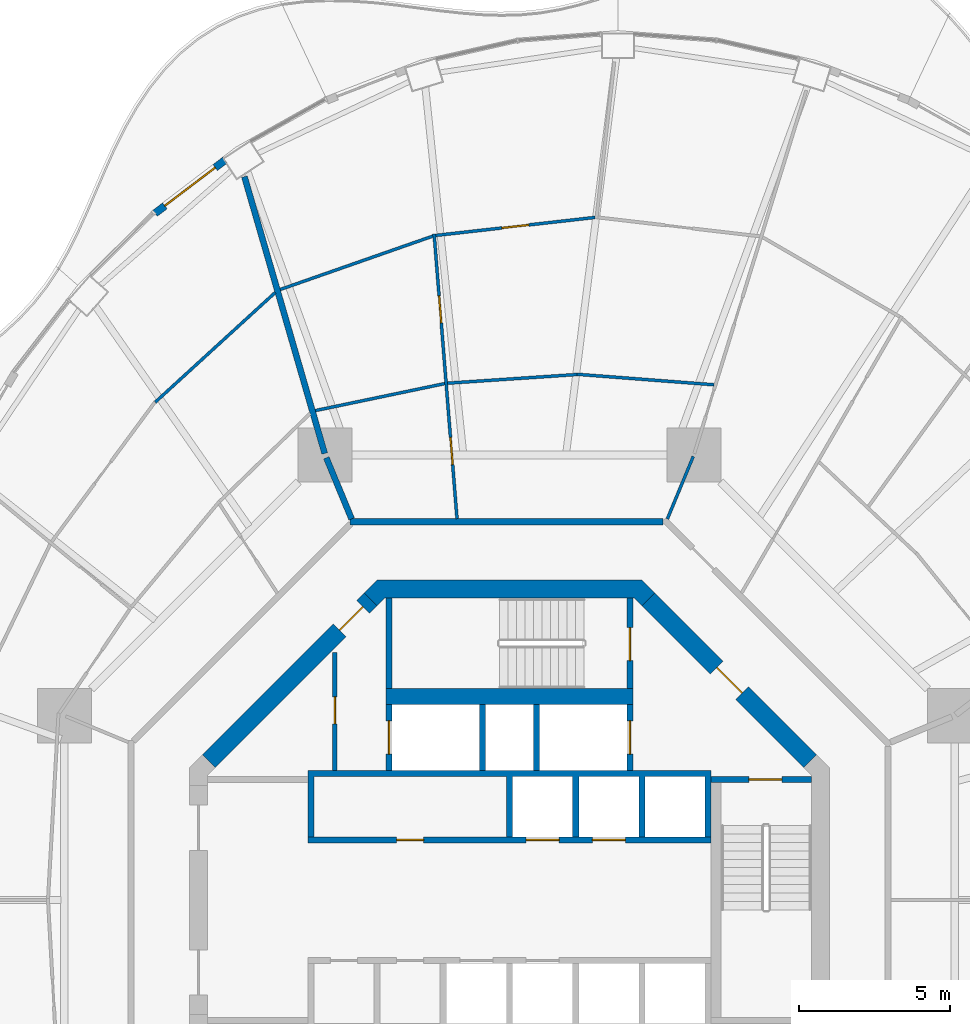
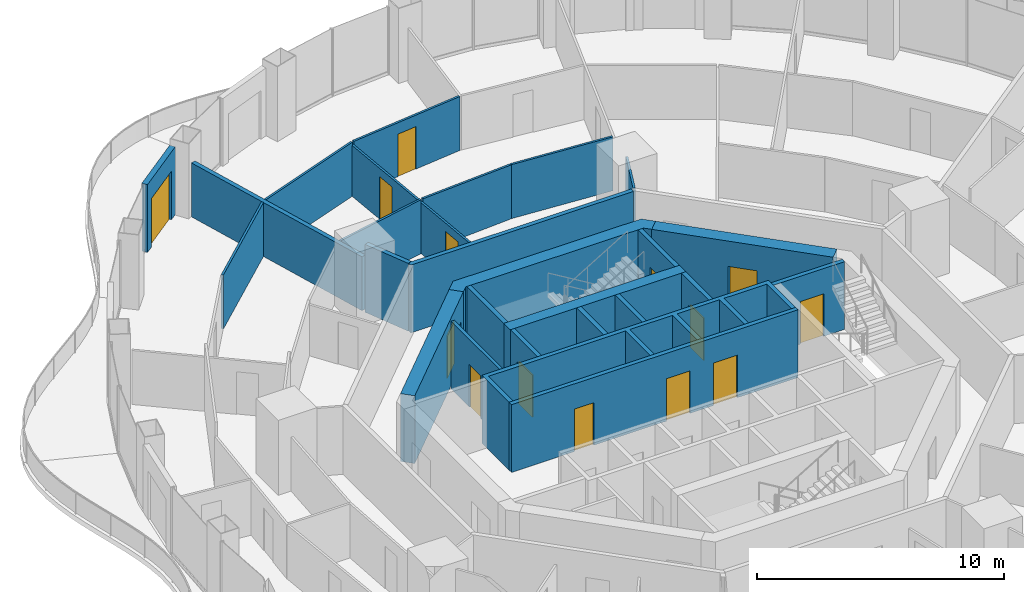
# One storey, part 14 of 19: 26 walls, 14 doors, 14 openings.
"""IFC4 building model written with IfcOpenShell, lengths in metres."""

import ifcopenshell
import ifcopenshell.guid

model = None  # the IFC model being written
_history = None  # IfcOwnerHistory: only IFC2X3 demands one
_inside = {}  # id of a spatial element -> (the spatial element, [elements in it])
_under = {}  # id of a project, library or spatial element -> (it, [spatial elements below it])
_declared = {}  # id of a project -> (the project, [libraries it declares])
_typed = {}  # id of a type object -> (the type object, [elements of that type])
_made_of = {}  # id of a material, layer set ... -> (it, [elements and type objects made of it])


def new_model(schema):
    """Start an empty IFC model of exactly this schema.

    Asked for "IFC4X3", IfcOpenShell would pick the latest addendum, in which some entities
    have other attributes; the version numbers below select the first issue.
    IFC2X3 requires an IfcOwnerHistory on every rooted entity: one is made here for all.
    """
    global model, _history
    if schema == "IFC4X3":
        model = ifcopenshell.file(schema_version=(4, 3, 0, 0))
    else:
        model = ifcopenshell.file(schema=schema)
    _inside.clear()
    _under.clear()
    _declared.clear()
    _typed.clear()
    _made_of.clear()
    _history = None
    if model.schema == "IFC2X3":
        org = make("IfcOrganization", Name="unknown")
        user = make(
            "IfcPersonAndOrganization",
            ThePerson=make("IfcPerson", FamilyName="unknown"),
            TheOrganization=org,
        )
        app = make(
            "IfcApplication",
            ApplicationDeveloper=org,
            Version="unknown",
            ApplicationFullName="unknown",
            ApplicationIdentifier="unknown",
        )
        _history = make(
            "IfcOwnerHistory",
            OwningUser=user,
            OwningApplication=app,
            ChangeAction="ADDED",
            CreationDate=0,
        )
    return model


def make(cls, **values):
    """One entity of the class cls with the attributes given. An attribute that is None is left unset."""
    return model.create_entity(
        cls, **{name: value for name, value in values.items() if value is not None}
    )


def rooted(cls, **values):
    """An entity with a GlobalId (a new one), such as an element, a storey or a relation."""
    return make(cls, GlobalId=ifcopenshell.guid.new(), OwnerHistory=_history, **values)


def si_unit(unit_type, name, prefix=None):
    """IfcSIUnit, for example si_unit("LENGTHUNIT", "METRE", prefix="MILLI")."""
    return make("IfcSIUnit", UnitType=unit_type, Prefix=prefix, Name=name)


def assignment(units):
    """IfcUnitAssignment: the units of a project."""
    return None if units is None else make("IfcUnitAssignment", Units=units)


def point(xyz):
    """IfcCartesianPoint."""
    return None if xyz is None else make("IfcCartesianPoint", Coordinates=xyz)


def direction(xyz):
    """IfcDirection."""
    return None if xyz is None else make("IfcDirection", DirectionRatios=xyz)


def frame(location, z_axis=None, x_axis=None):
    """IfcAxis2Placement3D, a coordinate frame: its origin and axes. An axis left out is left unset."""
    return make(
        "IfcAxis2Placement3D",
        Location=point(location),
        Axis=direction(z_axis),
        RefDirection=direction(x_axis),
    )


def frame_2d(location, x_axis=None):
    """IfcAxis2Placement2D, a coordinate frame in the plane: its origin and x axis."""
    return make(
        "IfcAxis2Placement2D", Location=point(location), RefDirection=direction(x_axis)
    )


def origin():
    """The frame at (0, 0, 0) with its axes left unset."""
    return frame((0.0, 0.0, 0.0))


def place(relative_to, where):
    """IfcLocalPlacement: puts the frame where relative to a parent placement (None: the world)."""
    return make(
        "IfcLocalPlacement", PlacementRelTo=relative_to, RelativePlacement=where
    )


def context(
    kind, dimensions, precision=None, world=None, true_north=None, identifier=None
):
    """IfcGeometricRepresentationContext, for example the 3D "Model" context."""
    return make(
        "IfcGeometricRepresentationContext",
        ContextIdentifier=identifier,
        ContextType=kind,
        CoordinateSpaceDimension=dimensions,
        Precision=precision,
        WorldCoordinateSystem=world,
        TrueNorth=true_north,
    )


def subcontext(parent, identifier, kind, view, scale=None):
    """IfcGeometricRepresentationSubContext, for example "Body" below "Model"."""
    return make(
        "IfcGeometricRepresentationSubContext",
        ContextIdentifier=identifier,
        ContextType=kind,
        ParentContext=parent,
        TargetScale=scale,
        TargetView=view,
    )


def project(units=None, contexts=None):
    """IfcProject with its units and contexts."""
    return rooted(
        "IfcProject",
        Name="project",
        RepresentationContexts=contexts,
        UnitsInContext=assignment(units),
    )


def spatial(cls, under=None, at=None, **own):
    """A site, building, storey or space (cls), placed at a placement, below another one or the project."""
    s = rooted(cls, ObjectPlacement=at, **own)
    if under is not None:
        _under.setdefault(under.id(), (under, []))[1].append(s)
    return s


def polyline(points):
    """IfcPolyline through the points."""
    return make("IfcPolyline", Points=[point(p) for p in points])


def profile(cls, at=None, kind="AREA", **sizes):
    """A parametric profile (cls). Its sizes go by their IFC names, for example OverallWidth=200.0."""
    return make(cls, ProfileType=kind, Position=at, **sizes)


def rectangle(**sizes):
    """IfcRectangleProfileDef."""
    return profile("IfcRectangleProfileDef", **sizes)


def outline(outer, holes=None, kind="AREA"):
    """IfcArbitraryClosedProfileDef: a profile drawn as a closed curve; with holes, ...WithVoids."""
    if holes is None:
        return make("IfcArbitraryClosedProfileDef", ProfileType=kind, OuterCurve=outer)
    return make(
        "IfcArbitraryProfileDefWithVoids",
        ProfileType=kind,
        OuterCurve=outer,
        InnerCurves=holes,
    )


def extrude(swept, where, along, depth):
    """IfcExtrudedAreaSolid: the profile swept, set in the frame where, extruded along a direction by depth."""
    return make(
        "IfcExtrudedAreaSolid",
        SweptArea=swept,
        Position=where,
        ExtrudedDirection=direction(along),
        Depth=depth,
    )


def shape(context_of_items, identifier, shape_type, items):
    """IfcShapeRepresentation: the items that make up one representation, for example the "Body"."""
    return make(
        "IfcShapeRepresentation",
        ContextOfItems=context_of_items,
        RepresentationIdentifier=identifier,
        RepresentationType=shape_type,
        Items=items,
    )


def material(Name=None, Category=None):
    """IfcMaterial."""
    return make("IfcMaterial", Name=Name, Category=Category)


def layer(
    of_material, thickness, ventilated=None, Name=None, Category=None, Priority=None
):
    """IfcMaterialLayer: one layer of a wall or slab, of a material (None: an air gap)."""
    return make(
        "IfcMaterialLayer",
        Material=of_material,
        LayerThickness=thickness,
        IsVentilated=ventilated,
        Name=Name,
        Category=Category,
        Priority=Priority,
    )


def layer_set(layers, Name=None):
    """IfcMaterialLayerSet."""
    return make("IfcMaterialLayerSet", MaterialLayers=layers, LayerSetName=Name)


def made_of(thing, what):
    """Note that an element or type object is made of a material, layer set ...; save() writes the relation."""
    if what is not None:
        _made_of.setdefault(what.id(), (what, []))[1].append(thing)
    return thing


def type_object(cls, material=None, **own):
    """A type object (cls), such as IfcWallType, which elements share."""
    return made_of(rooted(cls, **own), material)


def element(
    cls,
    number,
    at=None,
    inside=None,
    cuts=None,
    type_object=None,
    material=None,
    context=None,
    identifier="Body",
    shape_type=None,
    held_by="IfcProductDefinitionShape",
    body=None,
    shapes=None,
    **own,
):
    """One element of the class cls, such as IfcWall. Its Tag is "e" and its number.

    at: its placement. inside: the storey or other place that contains it. cuts: it is an
    opening in that element (IfcRelVoidsElement). A single representation is given by context,
    identifier, shape_type and body (its items); several are given by shapes. held_by: the class
    of the entity that holds the representations. save() writes the other relations.
    """
    e = rooted(cls, Tag="e%d" % number, ObjectPlacement=at, **own)
    if body is not None:
        shapes = [shape(context, identifier, shape_type, body)]
    if shapes is not None:
        e.Representation = make(held_by, Representations=shapes)
    if inside is not None:
        _inside.setdefault(inside.id(), (inside, []))[1].append(e)
    if cuts is not None:
        rooted(
            "IfcRelVoidsElement", RelatingBuildingElement=cuts, RelatedOpeningElement=e
        )
    if type_object is not None:
        _typed.setdefault(type_object.id(), (type_object, []))[1].append(e)
    return made_of(e, material)


def fill(opening, filler):
    """IfcRelFillsElement: the door or window that sits in an opening."""
    return rooted(
        "IfcRelFillsElement",
        RelatingOpeningElement=opening,
        RelatedBuildingElement=filler,
    )


def aggregate(whole, parts):
    """IfcRelAggregates: a whole, such as a stair, and the parts it consists of."""
    return rooted("IfcRelAggregates", RelatingObject=whole, RelatedObjects=parts)


def save(model, path):
    """Write the relations noted so far, then the file.

    IfcRelAggregates (storeys below a building ...), IfcRelContainedInSpatialStructure (elements
    in a storey), IfcRelDefinesByType, IfcRelAssociatesMaterial and IfcRelDeclares: one each for
    every whole, place, type object, material and project.
    """
    for whole, parts in _under.values():
        aggregate(whole, parts)
    for where, things in _inside.values():
        rooted(
            "IfcRelContainedInSpatialStructure",
            RelatedElements=things,
            RelatingStructure=where,
        )
    for kind, things in _typed.values():
        rooted("IfcRelDefinesByType", RelatedObjects=things, RelatingType=kind)
    for what, things in _made_of.values():
        rooted("IfcRelAssociatesMaterial", RelatedObjects=things, RelatingMaterial=what)
    for by, libraries in _declared.values():
        rooted("IfcRelDeclares", RelatingContext=by, RelatedDefinitions=libraries)
    model.write(path)


model = new_model("IFC4")

# Units and contexts
model_context = context("Model", 3, precision=1e-05, world=origin(), true_north=direction((0.0, 1.0)))
body_context = subcontext(model_context, "Body", "Model", "MODEL_VIEW")
ifc_project = project(units=[si_unit("LENGTHUNIT", "METRE"), si_unit("AREAUNIT", "SQUARE_METRE"), si_unit("VOLUMEUNIT", "CUBIC_METRE"), si_unit("PLANEANGLEUNIT", "RADIAN"), si_unit("MASSUNIT", "GRAM", prefix="KILO")], contexts=[model_context])

# Site, building, storey
site_placement = place(None, origin())
site = spatial("IfcSite", under=ifc_project, at=site_placement, CompositionType="ELEMENT")
building_placement = place(site_placement, origin())
building = spatial("IfcBuilding", under=site, at=building_placement, Name="Nagisa Residences", CompositionType="ELEMENT")
storey_placement = place(building_placement, frame((0.0, 0.0, 202.89990234375)))
storey = spatial("IfcBuildingStorey", under=building, at=storey_placement, Name="L51", CompositionType="ELEMENT", Elevation=202.89990234375)

# Walls
ifc_material_1 = material(Name="Gypsum board on steel studs", Category="steel")
ifc_layer_1 = layer(ifc_material_1, 0.199951171875)
ifc_layer_set_1 = layer_set([ifc_layer_1], Name="Apartment compartment wall EI60 200")
wall_type_1 = type_object("IfcWallType", Name="Apartment compartment wall EI60 200", PredefinedType="PARTITIONING", material=ifc_layer_set_1)
wall_1_placement = place(storey_placement, frame((-5.24267578125, 12.6572265625, 0.0), z_axis=(0.0, 0.0, 1.0), x_axis=(-0.382707856524, 0.923869415315, 0.0)))
element("IfcWall", 1, at=wall_1_placement, inside=storey, type_object=wall_type_1, Name="wall:L51:u02", PredefinedType="PARTITIONING", context=body_context, shape_type="SweptSolid", body=[
    extrude(rectangle(XDim=2.2001953125, YDim=0.199951171875, at=frame_2d((1.10009765625, 0.0))), origin(), (0.0, 0.0, 1.0), 3.35009765625),
])
wall_2_placement = place(storey_placement, frame((-6.136962890625, 14.830078125, 0.0), z_axis=(0.0, 0.0, 1.0), x_axis=(-0.278461169897, 0.96044748782, 0.0)))
element("IfcWall", 2, at=wall_2_placement, inside=storey, type_object=wall_type_1, Name="wall:L51:u03", PredefinedType="PARTITIONING", context=body_context, shape_type="SweptSolid", body=[
    extrude(rectangle(XDim=9.5732421875, YDim=0.199951171875, at=frame_2d((4.78662109375, 0.0))), origin(), (0.0, 0.0, 1.0), 2.666015625),
])
ifc_material_2 = material(Name="Gypsum board on steel studs", Category="steel")
ifc_layer_2 = layer(ifc_material_2, 0.199951171875)
ifc_layer_set_2 = layer_set([ifc_layer_2], Name="Apartment entry wall EI60 200")
wall_type_2 = type_object("IfcWallType", Name="Apartment entry wall EI60 200", PredefinedType="PARTITIONING", material=ifc_layer_set_2)
wall_3_placement = place(storey_placement, frame((5.1044921875, 12.564697265625, 0.0), z_axis=(0.0, 0.0, 1.0), x_axis=(-1.0, 0.0, 0.0)))
element("IfcWall", 3, at=wall_3_placement, inside=storey, type_object=wall_type_2, Name="wall:L51:u08", PredefinedType="PARTITIONING", context=body_context, shape_type="SweptSolid", body=[
    extrude(rectangle(XDim=10.408935546875, YDim=0.199951171875, at=frame_2d((5.20458984375, 0.0))), origin(), (0.0, 0.0, 1.0), 3.35009765625),
])
ifc_material_3 = material(Name="Gypsum board on steel studs", Category="steel")
ifc_layer_3 = layer(ifc_material_3, 0.10009765625)
ifc_layer_set_3 = layer_set([ifc_layer_3], Name="Apartment partition 100")
wall_type_3 = type_object("IfcWallType", Name="Apartment partition 100", PredefinedType="PARTITIONING", material=ifc_layer_set_3)
wall_4_placement = place(storey_placement, frame((5.24267578125, 12.6572265625, 0.0), z_axis=(0.0, 0.0, 1.0), x_axis=(0.382719158442, 0.923864733477, 0.0)))
element("IfcWall", 4, at=wall_4_placement, inside=storey, type_object=wall_type_3, Name="wall:L51:u30", PredefinedType="PARTITIONING", context=body_context, shape_type="SweptSolid", body=[
    extrude(rectangle(XDim=2.25, YDim=0.10009765625, at=frame_2d((1.125, 0.0))), origin(), (0.0, 0.0, 1.0), 3.35009765625),
])
wall_5_placement = place(storey_placement, frame((6.791259765625, 17.11328125, 0.0), z_axis=(0.0, 0.0, 1.0), x_axis=(-0.997077117727, 0.07640171009, 0.0)))
element("IfcWall", 5, at=wall_5_placement, inside=storey, type_object=wall_type_3, Name="wall:L51:u32", PredefinedType="PARTITIONING", context=body_context, shape_type="SweptSolid", body=[
    extrude(rectangle(XDim=4.56005859375, YDim=0.10009765625, at=frame_2d((2.280029296875, 0.0))), origin(), (0.0, 0.0, 1.0), 2.666015625),
])
wall_6_placement = place(storey_placement, frame((2.244384765625, 17.45458984375, 0.0), z_axis=(0.0, 0.0, 1.0), x_axis=(-0.997754717554, -0.066974051687, 0.0)))
element("IfcWall", 6, at=wall_6_placement, inside=storey, type_object=wall_type_3, Name="wall:L51:u34", PredefinedType="PARTITIONING", context=body_context, shape_type="SweptSolid", body=[
    extrude(rectangle(XDim=4.308837890625, YDim=0.10009765625, at=frame_2d((2.154296875, 0.0))), origin(), (0.0, 0.0, 1.0), 2.666015625),
])

# Wall, opening, door
wall_7_placement = place(storey_placement, frame((2.841552734375, 22.67138671875, 0.0), z_axis=(0.0, 0.0, 1.0), x_axis=(-0.993660315081, -0.112424099879, 0.0)))
wall_7 = element("IfcWall", 7, at=wall_7_placement, inside=storey, type_object=wall_type_3, Name="wall:L51:u36", PredefinedType="PARTITIONING", context=body_context, shape_type="SweptSolid", body=[
    extrude(rectangle(XDim=5.32470703125, YDim=0.10009765625, at=frame_2d((2.662353515625, 0.0))), origin(), (0.0, 0.0, 1.0), 2.666015625),
])
opening_1_placement = place(wall_7_placement, frame((2.21240234375, 0.0, 0.0)))
opening_1 = element("IfcOpeningElement", 8, at=opening_1_placement, cuts=wall_7, Name="Opening L51-U33", PredefinedType="OPENING", context=body_context, shape_type="SweptSolid", body=[
    extrude(rectangle(XDim=0.89990234375, YDim=2.10009765625, at=frame_2d((0.449951171875, 1.050048828125))), frame((0.0, 0.06005859375, 0.0), z_axis=(0.0, -1.0, 0.0), x_axis=(1.0, 0.0, 0.0)), (0.0, 0.0, 1.0), 0.1201171875),
])
ifc_material_4 = material(Name="Timber door set", Category="wood")
door_type_1 = type_object("IfcDoorType", Name="Apartment door 900x2100", OperationType="NOTDEFINED", PredefinedType="DOOR", material=ifc_material_4)
door_1_placement = place(opening_1_placement, frame((0.89990234375, 0.0, 0.0), x_axis=(-1.0, 0.0, 0.0)))
door_1 = element("IfcDoor", 9, at=door_1_placement, inside=storey, type_object=door_type_1, Name="Door to family room, Apartment 51B", OperationType="SINGLE_SWING_RIGHT", OverallHeight=2.10009765625, OverallWidth=0.89990234375, PredefinedType="DOOR", context=body_context, shape_type="SweptSolid", body=[
    extrude(rectangle(XDim=0.89990234375, YDim=2.10009765625, at=frame_2d((0.449951171875, 1.050048828125))), frame((0.0, 0.02490234375, 0.0), z_axis=(0.0, -1.0, 0.0), x_axis=(1.0, 0.0, 0.0)), (0.0, 0.0, 1.0), 0.050048828125),
])
fill(opening_1, door_1)

# Wall, openings, doors
wall_8_placement = place(storey_placement, frame((-1.742919921875, 12.66455078125, 0.0), z_axis=(0.0, 0.0, 1.0), x_axis=(-0.080170892619, 0.996781133437, 0.0)))
wall_8 = element("IfcWall", 10, at=wall_8_placement, inside=storey, type_object=wall_type_3, Name="wall:L51:u37", PredefinedType="PARTITIONING", context=body_context, shape_type="SweptSolid", body=[
    extrude(rectangle(XDim=9.48291015625, YDim=0.10009765625, at=frame_2d((4.741455078125, 0.0))), origin(), (0.0, 0.0, 1.0), 2.51513671875),
])
opening_2_placement = place(wall_8_placement, frame((1.806396484375, 0.0, 0.0)))
opening_2 = element("IfcOpeningElement", 11, at=opening_2_placement, cuts=wall_8, Name="Opening L51-U25", PredefinedType="OPENING", context=body_context, shape_type="SweptSolid", body=[
    extrude(rectangle(XDim=0.89990234375, YDim=2.10009765625, at=frame_2d((0.449951171875, 1.050048828125))), frame((0.0, 0.06005859375, 0.0), z_axis=(0.0, -1.0, 0.0), x_axis=(1.0, 0.0, 0.0)), (0.0, 0.0, 1.0), 0.1201171875),
])
opening_3_placement = place(wall_8_placement, frame((6.52294921875, 0.0, 0.0)))
opening_3 = element("IfcOpeningElement", 12, at=opening_3_placement, cuts=wall_8, Name="Opening L51-U29", PredefinedType="OPENING", context=body_context, shape_type="SweptSolid", body=[
    extrude(rectangle(XDim=0.89990234375, YDim=2.10009765625, at=frame_2d((0.449951171875, 1.050048828125))), frame((0.0, 0.06005859375, 0.0), z_axis=(0.0, -1.0, 0.0), x_axis=(1.0, 0.0, 0.0)), (0.0, 0.0, 1.0), 0.1201171875),
])
door_2_placement = place(opening_2_placement, origin())
door_2 = element("IfcDoor", 13, at=door_2_placement, inside=storey, type_object=door_type_1, Name="Door to laundry, Apartment 51B", OperationType="SINGLE_SWING_LEFT", OverallHeight=2.10009765625, OverallWidth=0.89990234375, PredefinedType="DOOR", context=body_context, shape_type="SweptSolid", body=[
    extrude(rectangle(XDim=0.89990234375, YDim=2.10009765625, at=frame_2d((0.449951171875, 1.050048828125))), frame((0.0, 0.02490234375, 0.0), z_axis=(0.0, -1.0, 0.0), x_axis=(1.0, 0.0, 0.0)), (0.0, 0.0, 1.0), 0.050048828125),
])
fill(opening_2, door_2)
door_3_placement = place(opening_3_placement, origin())
door_3 = element("IfcDoor", 14, at=door_3_placement, inside=storey, type_object=door_type_1, Name="Door to family room, Apartment 51B", OperationType="SINGLE_SWING_LEFT", OverallHeight=2.10009765625, OverallWidth=0.89990234375, PredefinedType="DOOR", context=body_context, shape_type="SweptSolid", body=[
    extrude(rectangle(XDim=0.89990234375, YDim=2.10009765625, at=frame_2d((0.449951171875, 1.050048828125))), frame((0.0, 0.02490234375, 0.0), z_axis=(0.0, -1.0, 0.0), x_axis=(1.0, 0.0, 0.0)), (0.0, 0.0, 1.0), 0.050048828125),
])
fill(opening_3, door_3)

# Walls
wall_9_placement = place(storey_placement, frame((-2.153564453125, 17.15234375, 0.0), z_axis=(0.0, 0.0, 1.0), x_axis=(-0.978906251581, -0.204309937631, 0.0)))
element("IfcWall", 15, at=wall_9_placement, inside=storey, type_object=wall_type_3, Name="wall:L51:u38", PredefinedType="PARTITIONING", context=body_context, shape_type="SweptSolid", body=[
    extrude(rectangle(XDim=4.385498046875, YDim=0.10009765625, at=frame_2d((2.19287109375, 0.0))), origin(), (0.0, 0.0, 1.0), 2.666015625),
])
wall_10_placement = place(storey_placement, frame((-2.54638671875, 22.050537109375, 0.0), z_axis=(0.0, 0.0, 1.0), x_axis=(-0.94391294884, -0.330194404878, 0.0)))
element("IfcWall", 16, at=wall_10_placement, inside=storey, type_object=wall_type_3, Name="wall:L51:u39", PredefinedType="PARTITIONING", context=body_context, shape_type="SweptSolid", body=[
    extrude(rectangle(XDim=5.3671875, YDim=0.10009765625, at=frame_2d((2.68359375, 0.0))), origin(), (0.0, 0.0, 1.0), 2.666015625),
])
wall_11_placement = place(storey_placement, frame((-7.78076171875, 20.177734375, 0.0), z_axis=(0.0, 0.0, 1.0), x_axis=(-0.73807320557, -0.674720640872, 0.0)))
element("IfcWall", 17, at=wall_11_placement, inside=storey, type_object=wall_type_3, Name="wall:L51:u41", PredefinedType="PARTITIONING", context=body_context, shape_type="SweptSolid", body=[
    extrude(rectangle(XDim=5.39892578125, YDim=0.10009765625, at=frame_2d((2.699462890625, 0.0))), origin(), (0.0, 0.0, 1.0), 2.666015625),
])

# Wall, opening, door
ifc_material_5 = material(Name="Precast concrete C40/50", Category="concrete")
ifc_layer_4 = layer(ifc_material_5, 0.25)
ifc_layer_set_4 = layer_set([ifc_layer_4], Name="BALCONY DOOR WALL 250")
wall_type_4 = type_object("IfcWallType", Name="BALCONY DOOR WALL 250", PredefinedType="SOLIDWALL", material=ifc_layer_set_4)
wall_12_placement = place(storey_placement, frame((-11.771728515625, 22.80859375, 0.0), z_axis=(0.0, 0.0, 1.0), x_axis=(0.796055733703, 0.60522332146, 0.0)))
wall_12 = element("IfcWall", 18, at=wall_12_placement, inside=storey, type_object=wall_type_4, Name="wall:L51:bay16", PredefinedType="SOLIDWALL", context=body_context, shape_type="SweptSolid", body=[
    extrude(rectangle(XDim=2.9169921875, YDim=0.25, at=frame_2d((1.45849609375, 0.0))), origin(), (0.0, 0.0, 1.0), 3.35009765625),
])
opening_4_placement = place(wall_12_placement, frame((0.408447265625, 0.0, 0.0)))
opening_4 = element("IfcOpeningElement", 19, at=opening_4_placement, cuts=wall_12, Name="Opening BD-L51-06", PredefinedType="OPENING", context=body_context, shape_type="SweptSolid", body=[
    extrude(rectangle(XDim=2.10009765625, YDim=2.39990234375, at=frame_2d((1.050048828125, 1.199951171875))), frame((0.0, 0.135009765625, 0.0), z_axis=(0.0, -1.0, 0.0), x_axis=(1.0, 0.0, 0.0)), (0.0, 0.0, 1.0), 0.27001953125),
])
ifc_material_6 = material(Name="Aluminium and clear glass", Category="aluminium")
door_type_2 = type_object("IfcDoorType", Name="BALCONY SLIDING DOOR 2100x2400", OperationType="SLIDING_TO_LEFT", PredefinedType="DOOR", material=ifc_material_6)
door_4_placement = place(opening_4_placement, origin())
door_4 = element("IfcDoor", 20, at=door_4_placement, inside=storey, type_object=door_type_2, Name="door:L51:bay16", OperationType="SLIDING_TO_LEFT", OverallHeight=2.39990234375, OverallWidth=2.10009765625, PredefinedType="DOOR", context=body_context, shape_type="SweptSolid", body=[
    extrude(rectangle(XDim=2.10009765625, YDim=2.39990234375, at=frame_2d((1.050048828125, 1.199951171875))), frame((0.0, 0.02490234375, 0.0), z_axis=(0.0, -1.0, 0.0), x_axis=(1.0, 0.0, 0.0)), (0.0, 0.0, 1.0), 0.050048828125),
])
fill(opening_4, door_4)

ifc_material_7 = material(Name="Gypsum board on steel studs", Category="steel")
ifc_layer_5 = layer(ifc_material_7, 0.14990234375)
ifc_layer_set_5 = layer_set([ifc_layer_5], Name="Core partition 150")
wall_type_5 = type_object("IfcWallType", Name="Core partition 150", PredefinedType="PARTITIONING", material=ifc_layer_set_5)
wall_13_placement = place(storey_placement, frame((-5.800048828125, 4.300048828125, 0.0), z_axis=(0.0, 0.0, 1.0), x_axis=(0.0, 1.0, 0.0)))
wall_13 = element("IfcWall", 21, at=wall_13_placement, inside=storey, type_object=wall_type_5, Name="wall:L51:NWp", PredefinedType="PARTITIONING", context=body_context, shape_type="SweptSolid", body=[
    extrude(rectangle(XDim=3.927001953125, YDim=0.14990234375, at=frame_2d((1.96337890625, 0.0))), origin(), (0.0, 0.0, 1.0), 3.35009765625),
])
opening_5_placement = place(wall_13_placement, frame((1.551025390625, 0.0, 0.0)))
opening_5 = element("IfcOpeningElement", 22, at=opening_5_placement, cuts=wall_13, Name="Opening L51-C11", PredefinedType="OPENING", context=body_context, shape_type="SweptSolid", body=[
    extrude(rectangle(XDim=0.89990234375, YDim=2.10009765625, at=frame_2d((0.449951171875, 1.050048828125))), frame((0.0, 0.0849609375, 0.0), z_axis=(0.0, -1.0, 0.0), x_axis=(1.0, 0.0, 0.0)), (0.0, 0.0, 1.0), 0.169921875),
])
ifc_material_8 = material(Name="Steel fire door", Category="steel")
door_type_3 = type_object("IfcDoorType", Name="Fire door EI30 900x2100 single swing", OperationType="NOTDEFINED", PredefinedType="DOOR", material=ifc_material_8)
door_5_placement = place(opening_5_placement, origin())
door_5 = element("IfcDoor", 23, at=door_5_placement, inside=storey, type_object=door_type_3, Name="Linen store door L51", OperationType="SINGLE_SWING_RIGHT", OverallHeight=2.10009765625, OverallWidth=0.89990234375, PredefinedType="DOOR", context=body_context, shape_type="SweptSolid", body=[
    extrude(rectangle(XDim=0.89990234375, YDim=2.10009765625, at=frame_2d((0.449951171875, 1.050048828125))), frame((0.0, 0.02490234375, 0.0), z_axis=(0.0, -1.0, 0.0), x_axis=(1.0, 0.0, 0.0)), (0.0, 0.0, 1.0), 0.050048828125),
])
fill(opening_5, door_5)

ifc_material_9 = material(Name="Concrete C60", Category="concrete")
ifc_layer_6 = layer(ifc_material_9, 0.60009765625)
ifc_layer_set_6 = layer_set([ifc_layer_6], Name="Core shear wall 600")
wall_type_6 = type_object("IfcWallType", Name="Core shear wall 600", PredefinedType="SHEAR", material=ifc_layer_set_6)
wall_14_placement = place(storey_placement, frame((9.98828125, 4.613037109375, 0.0), z_axis=(0.0, 0.0, 1.0), x_axis=(-0.707106781187, 0.707106781187, 0.0)))
wall_14 = element("IfcWall", 24, at=wall_14_placement, inside=storey, type_object=wall_type_6, Name="wall:L51:core:flat1", PredefinedType="SHEAR", context=body_context, shape_type="SweptSolid", body=[
    extrude(rectangle(XDim=7.601806640625, YDim=0.60009765625, at=frame_2d((3.80078125, 0.0))), origin(), (0.0, 0.0, 1.0), 3.35009765625),
])
opening_6_placement = place(wall_14_placement, frame((3.200927734375, 0.0, 0.0)))
opening_6 = element("IfcOpeningElement", 25, at=opening_6_placement, cuts=wall_14, Name="Opening L51-C18", PredefinedType="OPENING", context=body_context, shape_type="SweptSolid", body=[
    extrude(rectangle(XDim=1.199951171875, YDim=2.10009765625, at=frame_2d((0.60009765625, 1.050048828125))), frame((0.0, 0.31005859375, 0.0), z_axis=(0.0, -1.0, 0.0), x_axis=(1.0, 0.0, 0.0)), (0.0, 0.0, 1.0), 0.6201171875),
])
ifc_material_10 = material(Name="Steel fire door", Category="steel")
door_type_4 = type_object("IfcDoorType", Name="Fire door EI60 1200x2100 single swing", OperationType="NOTDEFINED", PredefinedType="DOOR", material=ifc_material_10)
door_6_placement = place(opening_6_placement, origin())
door_6 = element("IfcDoor", 26, at=door_6_placement, inside=storey, type_object=door_type_4, Name="Firefighting lobby 1 door L51", OperationType="SINGLE_SWING_RIGHT", OverallHeight=2.10009765625, OverallWidth=1.199951171875, PredefinedType="DOOR", context=body_context, shape_type="SweptSolid", body=[
    extrude(rectangle(XDim=1.199951171875, YDim=2.10009765625, at=frame_2d((0.60009765625, 1.050048828125))), frame((0.0, 0.02490234375, 0.0), z_axis=(0.0, -1.0, 0.0), x_axis=(1.0, 0.0, 0.0)), (0.0, 0.0, 1.0), 0.050048828125),
])
fill(opening_6, door_6)

wall_15_placement = place(storey_placement, frame((-4.613037109375, 9.98828125, 0.0), z_axis=(0.0, 0.0, 1.0), x_axis=(-0.707106781187, -0.707106781187, 0.0)))
wall_15 = element("IfcWall", 27, at=wall_15_placement, inside=storey, type_object=wall_type_6, Name="wall:L51:core:flat3", PredefinedType="SHEAR", context=body_context, shape_type="SweptSolid", body=[
    extrude(rectangle(XDim=7.601806640625, YDim=0.60009765625, at=frame_2d((3.80078125, 0.0))), origin(), (0.0, 0.0, 1.0), 3.35009765625),
])
opening_7_placement = place(wall_15_placement, frame((0.350830078125, 0.0, 0.0)))
opening_7 = element("IfcOpeningElement", 28, at=opening_7_placement, cuts=wall_15, Name="Opening L51-C22", PredefinedType="OPENING", context=body_context, shape_type="SweptSolid", body=[
    extrude(rectangle(XDim=1.10009765625, YDim=2.10009765625, at=frame_2d((0.550048828125, 1.050048828125))), frame((0.0, 0.31005859375, 0.0), z_axis=(0.0, -1.0, 0.0), x_axis=(1.0, 0.0, 0.0)), (0.0, 0.0, 1.0), 0.6201171875),
])
ifc_material_11 = material(Name="Steel fire door", Category="steel")
door_type_5 = type_object("IfcDoorType", Name="Fire door EI60 1100x2100 single swing", OperationType="NOTDEFINED", PredefinedType="DOOR", material=ifc_material_11)
door_7_placement = place(opening_7_placement, origin())
door_7 = element("IfcDoor", 29, at=door_7_placement, inside=storey, type_object=door_type_5, Name="Service lobby door L51", OperationType="SINGLE_SWING_RIGHT", OverallHeight=2.10009765625, OverallWidth=1.10009765625, PredefinedType="DOOR", context=body_context, shape_type="SweptSolid", body=[
    extrude(rectangle(XDim=1.10009765625, YDim=2.10009765625, at=frame_2d((0.550048828125, 1.050048828125))), frame((0.0, 0.02490234375, 0.0), z_axis=(0.0, -1.0, 0.0), x_axis=(1.0, 0.0, 0.0)), (0.0, 0.0, 1.0), 0.050048828125),
])
fill(opening_7, door_7)

# Wall
wall_16_placement = place(storey_placement, origin())
element("IfcWall", 30, at=wall_16_placement, inside=storey, type_object=wall_type_6, Name="wall:L51:core:flat2", PredefinedType="SHEAR", context=body_context, shape_type="SweptSolid", body=[
    extrude(outline(polyline([(-4.15234375, 10.024658203125), (-4.40087890625, 9.776123046875), (-4.8251953125, 10.200439453125), (-4.40087890625, 10.62451171875), (4.40087890625, 10.62451171875), (4.8251953125, 10.200439453125), (4.40087890625, 9.776123046875), (4.15234375, 10.024658203125), (-4.15234375, 10.024658203125)])), origin(), (0.0, 0.0, 1.0), 3.35009765625),
])

# Wall, opening, door
ifc_material_12 = material(Name="Concrete C60", Category="concrete")
ifc_layer_7 = layer(ifc_material_12, 0.199951171875)
ifc_layer_set_7 = layer_set([ifc_layer_7], Name="Lift shaft wall 200")
wall_type_7 = type_object("IfcWallType", Name="Lift shaft wall 200", PredefinedType="SOLIDWALL", material=ifc_layer_set_7)
wall_17_placement = place(storey_placement, frame((4.0, 4.300048828125, 0.0), z_axis=(0.0, 0.0, 1.0), x_axis=(0.0, 1.0, 0.0)))
wall_17 = element("IfcWall", 31, at=wall_17_placement, inside=storey, type_object=wall_type_7, Name="wall:L51:Nb3", PredefinedType="SOLIDWALL", context=body_context, shape_type="SweptSolid", body=[
    extrude(rectangle(XDim=2.199951171875, YDim=0.199951171875, at=frame_2d((1.10009765625, 0.0))), origin(), (0.0, 0.0, 1.0), 3.35009765625),
])
opening_8_placement = place(wall_17_placement, frame((0.550048828125, 0.0, 0.0)))
opening_8 = element("IfcOpeningElement", 32, at=opening_8_placement, cuts=wall_17, Name="Opening L51-C05", PredefinedType="OPENING", context=body_context, shape_type="SweptSolid", body=[
    extrude(rectangle(XDim=1.10009765625, YDim=2.10009765625, at=frame_2d((0.550048828125, 1.050048828125))), frame((0.0, 0.10986328125, 0.0), z_axis=(0.0, -1.0, 0.0), x_axis=(1.0, 0.0, 0.0)), (0.0, 0.0, 1.0), 0.219970703125),
])
ifc_material_13 = material(Name="Stainless steel", Category="steel")
door_type_6 = type_object("IfcDoorType", Name="Lift landing door 1100x2100", OperationType="DOUBLE_DOOR_SLIDING", PredefinedType="DOOR", material=ifc_material_13)
door_8_placement = place(opening_8_placement, origin())
door_8 = element("IfcDoor", 33, at=door_8_placement, inside=storey, type_object=door_type_6, Name="Landing door FL1 L51", OperationType="DOUBLE_DOOR_SLIDING", OverallHeight=2.10009765625, OverallWidth=1.10009765625, PredefinedType="DOOR", context=body_context, shape_type="SweptSolid", body=[
    extrude(rectangle(XDim=1.10009765625, YDim=2.10009765625, at=frame_2d((0.550048828125, 1.050048828125))), frame((0.0, 0.02490234375, 0.0), z_axis=(0.0, -1.0, 0.0), x_axis=(1.0, 0.0, 0.0)), (0.0, 0.0, 1.0), 0.050048828125),
])
fill(opening_8, door_8)

wall_18_placement = place(storey_placement, frame((-4.0, 4.300048828125, 0.0), z_axis=(0.0, 0.0, 1.0), x_axis=(0.0, 1.0, 0.0)))
wall_18 = element("IfcWall", 34, at=wall_18_placement, inside=storey, type_object=wall_type_7, Name="wall:L51:Nb4", PredefinedType="SOLIDWALL", context=body_context, shape_type="SweptSolid", body=[
    extrude(rectangle(XDim=2.199951171875, YDim=0.199951171875, at=frame_2d((1.10009765625, 0.0))), origin(), (0.0, 0.0, 1.0), 3.35009765625),
])
opening_9_placement = place(wall_18_placement, frame((0.550048828125, 0.0, 0.0)))
opening_9 = element("IfcOpeningElement", 35, at=opening_9_placement, cuts=wall_18, Name="Opening L51-C07", PredefinedType="OPENING", context=body_context, shape_type="SweptSolid", body=[
    extrude(rectangle(XDim=1.10009765625, YDim=2.10009765625, at=frame_2d((0.550048828125, 1.050048828125))), frame((0.0, 0.10986328125, 0.0), z_axis=(0.0, -1.0, 0.0), x_axis=(1.0, 0.0, 0.0)), (0.0, 0.0, 1.0), 0.219970703125),
])
door_9_placement = place(opening_9_placement, origin())
door_9 = element("IfcDoor", 36, at=door_9_placement, inside=storey, type_object=door_type_6, Name="Landing door SV L51", OperationType="DOUBLE_DOOR_SLIDING", OverallHeight=2.10009765625, OverallWidth=1.10009765625, PredefinedType="DOOR", context=body_context, shape_type="SweptSolid", body=[
    extrude(rectangle(XDim=1.10009765625, YDim=2.10009765625, at=frame_2d((0.550048828125, 1.050048828125))), frame((0.0, 0.02490234375, 0.0), z_axis=(0.0, -1.0, 0.0), x_axis=(1.0, 0.0, 0.0)), (0.0, 0.0, 1.0), 0.050048828125),
])
fill(opening_9, door_9)

# Wall, openings, doors
wall_19_placement = place(storey_placement, frame((-6.699951171875, 2.0, 0.0), z_axis=(0.0, 0.0, 1.0), x_axis=(1.0, 0.0, 0.0)))
wall_19 = element("IfcWall", 37, at=wall_19_placement, inside=storey, type_object=wall_type_7, Name="wall:L51:Nfront", PredefinedType="SOLIDWALL", context=body_context, shape_type="SweptSolid", body=[
    extrude(rectangle(XDim=13.39990234375, YDim=0.199951171875, at=frame_2d((6.699951171875, 0.0))), origin(), (0.0, 0.0, 1.0), 3.35009765625),
])
opening_10_placement = place(wall_19_placement, frame((7.25, 0.0, 0.0)))
opening_10 = element("IfcOpeningElement", 38, at=opening_10_placement, cuts=wall_19, Name="Opening L51-C01", PredefinedType="OPENING", context=body_context, shape_type="SweptSolid", body=[
    extrude(rectangle(XDim=1.10009765625, YDim=2.10009765625, at=frame_2d((0.550048828125, 1.050048828125))), frame((0.0, 0.10986328125, 0.0), z_axis=(0.0, -1.0, 0.0), x_axis=(1.0, 0.0, 0.0)), (0.0, 0.0, 1.0), 0.219970703125),
])
opening_11_placement = place(wall_19_placement, frame((9.449951171875, 0.0, 0.0)))
opening_11 = element("IfcOpeningElement", 39, at=opening_11_placement, cuts=wall_19, Name="Opening L51-C02", PredefinedType="OPENING", context=body_context, shape_type="SweptSolid", body=[
    extrude(rectangle(XDim=1.10009765625, YDim=2.10009765625, at=frame_2d((0.550048828125, 1.050048828125))), frame((0.0, 0.10986328125, 0.0), z_axis=(0.0, -1.0, 0.0), x_axis=(1.0, 0.0, 0.0)), (0.0, 0.0, 1.0), 0.219970703125),
])
opening_12_placement = place(wall_19_placement, frame((2.949951171875, 0.0, 0.0)))
opening_12 = element("IfcOpeningElement", 40, at=opening_12_placement, cuts=wall_19, Name="Opening L51-C15", PredefinedType="OPENING", context=body_context, shape_type="SweptSolid", body=[
    extrude(rectangle(XDim=0.89990234375, YDim=2.10009765625, at=frame_2d((0.449951171875, 1.050048828125))), frame((0.0, 0.10986328125, 0.0), z_axis=(0.0, -1.0, 0.0), x_axis=(1.0, 0.0, 0.0)), (0.0, 0.0, 1.0), 0.219970703125),
])
door_10_placement = place(opening_12_placement, origin())
door_10 = element("IfcDoor", 41, at=door_10_placement, inside=storey, type_object=door_type_3, Name="Owner storage door L51", OperationType="SINGLE_SWING_LEFT", OverallHeight=2.10009765625, OverallWidth=0.89990234375, PredefinedType="DOOR", context=body_context, shape_type="SweptSolid", body=[
    extrude(rectangle(XDim=0.89990234375, YDim=2.10009765625, at=frame_2d((0.449951171875, 1.050048828125))), frame((0.0, 0.02490234375, 0.0), z_axis=(0.0, -1.0, 0.0), x_axis=(1.0, 0.0, 0.0)), (0.0, 0.0, 1.0), 0.050048828125),
])
fill(opening_12, door_10)
door_11_placement = place(opening_10_placement, origin())
door_11 = element("IfcDoor", 42, at=door_11_placement, inside=storey, type_object=door_type_6, Name="Landing door B1 L51", OperationType="DOUBLE_DOOR_SLIDING", OverallHeight=2.10009765625, OverallWidth=1.10009765625, PredefinedType="DOOR", context=body_context, shape_type="SweptSolid", body=[
    extrude(rectangle(XDim=1.10009765625, YDim=2.10009765625, at=frame_2d((0.550048828125, 1.050048828125))), frame((0.0, 0.02490234375, 0.0), z_axis=(0.0, -1.0, 0.0), x_axis=(1.0, 0.0, 0.0)), (0.0, 0.0, 1.0), 0.050048828125),
])
fill(opening_10, door_11)
door_12_placement = place(opening_11_placement, origin())
door_12 = element("IfcDoor", 43, at=door_12_placement, inside=storey, type_object=door_type_6, Name="Landing door B2 L51", OperationType="DOUBLE_DOOR_SLIDING", OverallHeight=2.10009765625, OverallWidth=1.10009765625, PredefinedType="DOOR", context=body_context, shape_type="SweptSolid", body=[
    extrude(rectangle(XDim=1.10009765625, YDim=2.10009765625, at=frame_2d((0.550048828125, 1.050048828125))), frame((0.0, 0.02490234375, 0.0), z_axis=(0.0, -1.0, 0.0), x_axis=(1.0, 0.0, 0.0)), (0.0, 0.0, 1.0), 0.050048828125),
])
fill(opening_11, door_12)

# Walls
for number, where, z_axis, x_axis, name in (
    (44, (-0.89990234375, 4.300048828125, 0.0), (0.0, 0.0, 1.0), (0.0, 1.0, 0.0), "wall:L51:Nb1"),
    (45, (0.89990234375, 4.300048828125, 0.0), (0.0, 0.0, 1.0), (0.0, 1.0, 0.0), "wall:L51:Nb2"),
):
    element("IfcWall", number, at=place(storey_placement, frame(where, z_axis=z_axis, x_axis=x_axis)), inside=storey, type_object=wall_type_7, Name=name, PredefinedType="SOLIDWALL", context=body_context, shape_type="SweptSolid", body=[
        extrude(rectangle(XDim=2.199951171875, YDim=0.199951171875, at=frame_2d((1.10009765625, 0.0))), origin(), (0.0, 0.0, 1.0), 3.35009765625),
    ])
wall_20_placement = place(storey_placement, origin())
element("IfcWall", 46, at=wall_20_placement, inside=storey, type_object=wall_type_7, Name="wall:L51:Nback", PredefinedType="SOLIDWALL", context=body_context, shape_type="SweptSolid", body=[
    extrude(outline(polyline([(-6.699951171875, 4.300048828125), (6.699951171875, 4.300048828125), (6.699951171875, 2.10009765625), (6.5, 2.10009765625), (6.5, 4.10009765625), (4.5, 4.10009765625), (4.5, 2.10009765625), (4.300048828125, 2.10009765625), (4.300048828125, 4.10009765625), (2.300048828125, 4.10009765625), (2.300048828125, 2.10009765625), (2.10009765625, 2.10009765625), (2.10009765625, 4.10009765625), (0.10009765625, 4.10009765625), (0.10009765625, 2.10009765625), (-0.10009765625, 2.10009765625), (-0.10009765625, 4.10009765625), (-6.5, 4.10009765625), (-6.5, 2.10009765625), (-6.699951171875, 2.10009765625), (-6.699951171875, 4.300048828125)])), origin(), (0.0, 0.0, 1.0), 3.35009765625),
])

# Wall, opening, door
ifc_material_14 = material(Name="Concrete C60", Category="concrete")
ifc_layer_8 = layer(ifc_material_14, 0.199951171875)
ifc_layer_set_8 = layer_set([ifc_layer_8], Name="Stair enclosure wall 200")
wall_type_8 = type_object("IfcWallType", Name="Stair enclosure wall 200", PredefinedType="SOLIDWALL", material=ifc_layer_set_8)
wall_21_placement = place(storey_placement, frame((6.699951171875, 4.0, 0.0), z_axis=(0.0, 0.0, 1.0), x_axis=(1.0, 0.0, 0.0)))
wall_21 = element("IfcWall", 47, at=wall_21_placement, inside=storey, type_object=wall_type_8, Name="wall:L51:SE_n", PredefinedType="SOLIDWALL", context=body_context, shape_type="SweptSolid", body=[
    extrude(rectangle(XDim=3.32470703125, YDim=0.199951171875, at=frame_2d((1.662353515625, 0.0))), origin(), (0.0, 0.0, 1.0), 3.35009765625),
])
opening_13_placement = place(wall_21_placement, frame((1.25, 0.0, 0.0)))
opening_13 = element("IfcOpeningElement", 48, at=opening_13_placement, cuts=wall_21, Name="Opening L51-C08", PredefinedType="OPENING", context=body_context, shape_type="SweptSolid", body=[
    extrude(rectangle(XDim=1.10009765625, YDim=2.10009765625, at=frame_2d((0.550048828125, 1.050048828125))), frame((0.0, 0.10986328125, 0.0), z_axis=(0.0, -1.0, 0.0), x_axis=(1.0, 0.0, 0.0)), (0.0, 0.0, 1.0), 0.219970703125),
])
ifc_material_15 = material(Name="Steel fire door", Category="steel")
door_type_7 = type_object("IfcDoorType", Name="Fire door EI90 1100x2100 single swing", OperationType="NOTDEFINED", PredefinedType="DOOR", material=ifc_material_15)
door_13_placement = place(opening_13_placement, frame((1.10009765625, 0.0, 0.0), x_axis=(-1.0, 0.0, 0.0)))
door_13 = element("IfcDoor", 49, at=door_13_placement, inside=storey, type_object=door_type_7, Name="Stair door ST-E L51", OperationType="SINGLE_SWING_RIGHT", OverallHeight=2.10009765625, OverallWidth=1.10009765625, PredefinedType="DOOR", context=body_context, shape_type="SweptSolid", body=[
    extrude(rectangle(XDim=1.10009765625, YDim=2.10009765625, at=frame_2d((0.550048828125, 1.050048828125))), frame((0.0, 0.02490234375, 0.0), z_axis=(0.0, -1.0, 0.0), x_axis=(1.0, 0.0, 0.0)), (0.0, 0.0, 1.0), 0.050048828125),
])
fill(opening_13, door_13)

wall_22_placement = place(storey_placement, frame((4.0, 7.024658203125, 0.0), z_axis=(0.0, 0.0, 1.0), x_axis=(0.0, 1.0, 0.0)))
wall_22 = element("IfcWall", 50, at=wall_22_placement, inside=storey, type_object=wall_type_8, Name="wall:L51:SN_e", PredefinedType="SOLIDWALL", context=body_context, shape_type="SweptSolid", body=[
    extrude(rectangle(XDim=3.0, YDim=0.199951171875, at=frame_2d((1.5, 0.0))), origin(), (0.0, 0.0, 1.0), 3.35009765625),
])
opening_14_placement = place(wall_22_placement, frame((0.92529296875, 0.0, 0.0)))
opening_14 = element("IfcOpeningElement", 51, at=opening_14_placement, cuts=wall_22, Name="Opening L51-C09", PredefinedType="OPENING", context=body_context, shape_type="SweptSolid", body=[
    extrude(rectangle(XDim=1.10009765625, YDim=2.10009765625, at=frame_2d((0.550048828125, 1.050048828125))), frame((0.0, 0.10986328125, 0.0), z_axis=(0.0, -1.0, 0.0), x_axis=(1.0, 0.0, 0.0)), (0.0, 0.0, 1.0), 0.219970703125),
])
door_14_placement = place(opening_14_placement, origin())
door_14 = element("IfcDoor", 52, at=door_14_placement, inside=storey, type_object=door_type_7, Name="Stair door ST-N L51", OperationType="SINGLE_SWING_LEFT", OverallHeight=2.10009765625, OverallWidth=1.10009765625, PredefinedType="DOOR", context=body_context, shape_type="SweptSolid", body=[
    extrude(rectangle(XDim=1.10009765625, YDim=2.10009765625, at=frame_2d((0.550048828125, 1.050048828125))), frame((0.0, 0.02490234375, 0.0), z_axis=(0.0, -1.0, 0.0), x_axis=(1.0, 0.0, 0.0)), (0.0, 0.0, 1.0), 0.050048828125),
])
fill(opening_14, door_14)

# Walls
wall_23_placement = place(storey_placement, origin())
element("IfcWall", 53, at=wall_23_placement, inside=storey, type_object=wall_type_8, Name="wall:L51:SN_w", PredefinedType="SOLIDWALL", context=body_context, shape_type="SweptSolid", body=[
    extrude(outline(polyline([(-3.89990234375, 7.024658203125), (-4.10009765625, 7.024658203125), (-4.10009765625, 10.024658203125), (-3.89990234375, 10.024658203125), (-3.89990234375, 7.024658203125)])), origin(), (0.0, 0.0, 1.0), 3.35009765625),
])
wall_24_placement = place(storey_placement, origin())
element("IfcWall", 54, at=wall_24_placement, inside=storey, type_object=wall_type_8, Name="wall:L51:SN_s", PredefinedType="SOLIDWALL", context=body_context, shape_type="SweptSolid", body=[
    extrude(outline(polyline([(4.10009765625, 6.5), (-4.10009765625, 6.5), (-4.10009765625, 7.024658203125), (4.10009765625, 7.024658203125), (4.10009765625, 6.5)])), origin(), (0.0, 0.0, 1.0), 3.35009765625),
])

save(model, "model.ifc")
